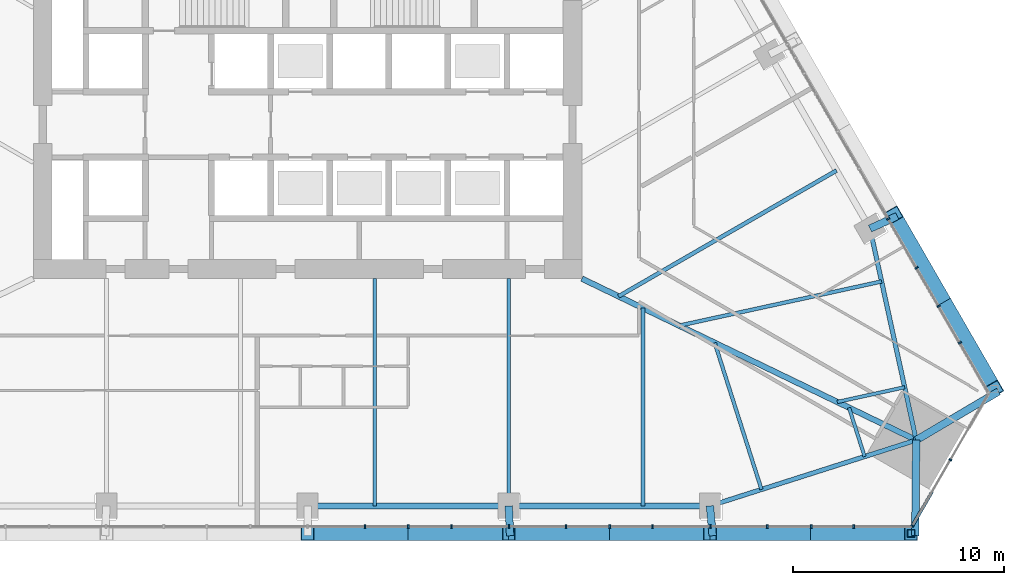
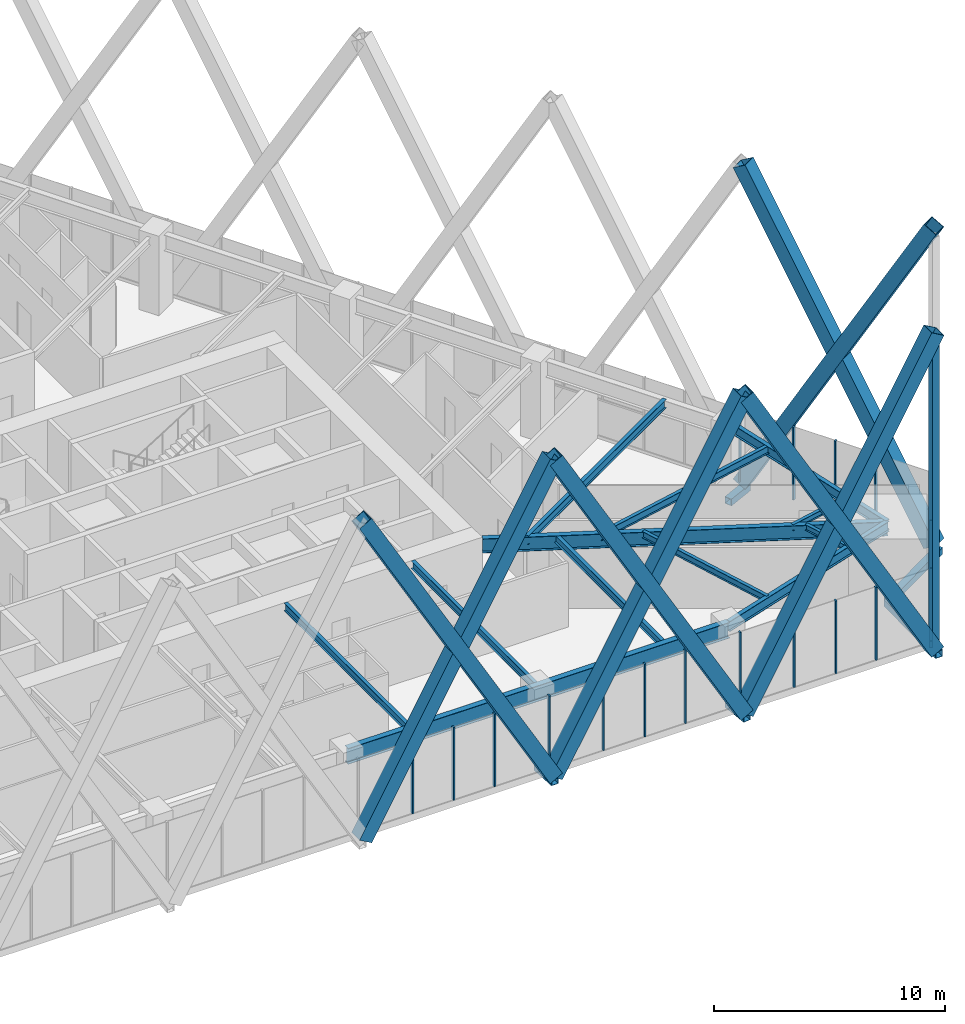
# One storey, part 7 of 23: 32 members, 12 beams, 3 elements without a shape of their own.
"""IFC4 building model written with IfcOpenShell, lengths in metres."""

from ifc_helpers import new_model, si_unit, direction, frame, origin, origin_2d, place, context, subcontext, project, spatial, rectangle, hollow_rectangle, i_section, extrude, material, layer, layer_set, material_profile, profile_set, type_object, element, aggregate, save


model = new_model("IFC4")

# Units and contexts
model_context = context("Model", 3, precision=1e-05, world=origin(), true_north=direction((0.0, 1.0)))
body_context = subcontext(model_context, "Body", "Model", "MODEL_VIEW")
ifc_project = project(units=[si_unit("LENGTHUNIT", "METRE"), si_unit("AREAUNIT", "SQUARE_METRE"), si_unit("VOLUMEUNIT", "CUBIC_METRE"), si_unit("PLANEANGLEUNIT", "RADIAN"), si_unit("MASSUNIT", "GRAM", prefix="KILO")], contexts=[model_context])

# Site, building, storey
site_placement = place(None, origin())
site = spatial("IfcSite", under=ifc_project, at=site_placement, CompositionType="ELEMENT")
building_placement = place(site_placement, origin())
building = spatial("IfcBuilding", under=site, at=building_placement, Name="Firuza Gate Tower and Library", CompositionType="ELEMENT")
storey_placement = place(building_placement, frame((0.0, 0.0, 56.800048828125)))
storey = spatial("IfcBuildingStorey", under=building, at=storey_placement, Name="L12", CompositionType="ELEMENT", Elevation=56.800048828125)

# Members
ifc_material_1 = material(Name="Steel S355", Category="steel")
ifc_material_profile_1 = material_profile(ifc_material_1, hollow_rectangle(XDim=0.699951171875, YDim=0.699951171875, WallThickness=0.030029296875, at=origin_2d()))
ifc_profile_set_1 = profile_set([ifc_material_profile_1], Name="Steel S355")
member_type_1 = type_object("IfcMemberType", Name="BU700x700x30 Lattice brace", PredefinedType="BRACE", material=ifc_profile_set_1)
for number, where, z_axis, x_axis, name in (
    (1, (75.0, 53.928955078125, 0.0), (0.493576582997, 0.0, 0.869702337997), (0.0, 1.0, 0.0), "Lattice brace S 2.4R"),
    (2, (84.534423828125, 53.928955078125, 0.0), (-0.493576582997, 0.0, 0.869702337997), (0.0, -1.0, 0.0), "Lattice brace S 2.4L"),
    (3, (84.534423828125, 53.928955078125, 0.0), (0.493576582997, 0.0, 0.869702337997), (0.0, 1.0, 0.0), "Lattice brace S 2.5R"),
    (4, (94.06884765625, 53.928955078125, 0.0), (-0.493576582997, 0.0, 0.869702337997), (0.0, -1.0, 0.0), "Lattice brace S 2.5L"),
    (5, (94.06884765625, 53.928955078125, 0.0), (0.493576582997, 0.0, 0.869702337997), (0.0, 1.0, 0.0), "Lattice brace S 2.6R"),
    (6, (103.603271484375, 53.928955078125, 0.0), (-0.493576582997, 0.0, 0.869702337997), (0.0, -1.0, 0.0), "Lattice brace S 2.6L"),
):
    element("IfcMember", number, at=place(storey_placement, frame(where, z_axis=z_axis, x_axis=x_axis)), inside=storey, type_object=member_type_1, Name=name, PredefinedType="BRACE", context=body_context, shape_type="SweptSolid", body=[
        extrude(hollow_rectangle(XDim=0.699951171875, YDim=0.699951171875, WallThickness=0.030029296875, at=origin_2d()), origin(), (0.0, 0.0, 1.0), 19.31689453125),
    ])
for number, where, z_axis, x_axis, name in (
    (7, (107.5498046875, 60.764404296875, 0.0), (-0.246794079392, 0.427450328219, 0.869700465265), (-0.866020563445, -0.50000838362, 0.0), "Lattice brace E 2.1R"),
    (8, (102.782470703125, 69.021484375, 0.0), (0.246794079392, -0.427450328219, 0.869700465265), (0.866020563445, 0.50000838362, 0.0), "Lattice brace E 2.1L"),
):
    element("IfcMember", number, at=place(storey_placement, frame(where, z_axis=z_axis, x_axis=x_axis)), inside=storey, type_object=member_type_1, Name=name, PredefinedType="BRACE", context=body_context, shape_type="SweptSolid", body=[
        extrude(hollow_rectangle(XDim=0.699951171875, YDim=0.699951171875, WallThickness=0.030029296875, at=origin_2d()), origin(), (0.0, 0.0, 1.0), 19.317138671875),
    ])

# Curtain wall, members
ifc_material_2 = material(Name="Aluminium 6063-T6", Category="aluminium")
ifc_layer_1 = layer(ifc_material_2, 0.14990234375)
ifc_layer_set_1 = layer_set([ifc_layer_1], Name="Unitised curtain wall, offices")
curtain_wall_type_1 = type_object("IfcCurtainWallType", Name="Unitised curtain wall, offices", PredefinedType="NOTDEFINED", material=ifc_layer_set_1)
placement = place(storey_placement, origin())
curtain_wall_1 = element("IfcCurtainWall", 9, at=placement, inside=storey, type_object=curtain_wall_type_1, Name="CW1 L12 S face", PredefinedType="NOTDEFINED")
ifc_material_3 = material(Name="Aluminium 6063-T6", Category="aluminium")
ifc_material_profile_2 = material_profile(ifc_material_3, rectangle(XDim=0.14990234375, YDim=0.080078125, at=origin_2d()))
ifc_profile_set_2 = profile_set([ifc_material_profile_2], Name="Aluminium 6063-T6")
member_type_2 = type_object("IfcMemberType", Name="Curtain wall mullion 80x150", PredefinedType="MULLION", material=ifc_profile_set_2)
member_1_placement = place(storey_placement, frame((79.7744140625, 54.25390625, 0.14990234375), z_axis=(0.0, 0.0, 1.0), x_axis=(0.0, 1.0, 0.0)))
member_1 = element("IfcMember", 10, at=member_1_placement, type_object=member_type_2, Name="Mullion", PredefinedType="MULLION", context=body_context, shape_type="SweptSolid", body=[
    extrude(rectangle(XDim=0.14990234375, YDim=0.080078125, at=origin_2d()), origin(), (0.0, 0.0, 1.0), 3.85009765625),
])
member_2_placement = place(storey_placement, frame((84.548828125, 54.25390625, 0.14990234375), z_axis=(0.0, 0.0, 1.0), x_axis=(0.0, 1.0, 0.0)))
member_2 = element("IfcMember", 11, at=member_2_placement, type_object=member_type_2, Name="Mullion", PredefinedType="MULLION", context=body_context, shape_type="SweptSolid", body=[
    extrude(rectangle(XDim=0.14990234375, YDim=0.080078125, at=origin_2d()), origin(), (0.0, 0.0, 1.0), 3.85009765625),
])
member_3_placement = place(storey_placement, frame((89.3232421875, 54.25390625, 0.14990234375), z_axis=(0.0, 0.0, 1.0), x_axis=(0.0, 1.0, 0.0)))
member_3 = element("IfcMember", 12, at=member_3_placement, type_object=member_type_2, Name="Mullion", PredefinedType="MULLION", context=body_context, shape_type="SweptSolid", body=[
    extrude(rectangle(XDim=0.14990234375, YDim=0.080078125, at=origin_2d()), origin(), (0.0, 0.0, 1.0), 3.85009765625),
])
member_4_placement = place(storey_placement, frame((94.097900390625, 54.25390625, 0.14990234375), z_axis=(0.0, 0.0, 1.0), x_axis=(0.0, 1.0, 0.0)))
member_4 = element("IfcMember", 13, at=member_4_placement, type_object=member_type_2, Name="Mullion", PredefinedType="MULLION", context=body_context, shape_type="SweptSolid", body=[
    extrude(rectangle(XDim=0.14990234375, YDim=0.080078125, at=origin_2d()), origin(), (0.0, 0.0, 1.0), 3.85009765625),
])
member_5_placement = place(storey_placement, frame((98.872314453125, 54.25390625, 0.14990234375), z_axis=(0.0, 0.0, 1.0), x_axis=(0.0, 1.0, 0.0)))
member_5 = element("IfcMember", 14, at=member_5_placement, type_object=member_type_2, Name="Mullion", PredefinedType="MULLION", context=body_context, shape_type="SweptSolid", body=[
    extrude(rectangle(XDim=0.14990234375, YDim=0.080078125, at=origin_2d()), origin(), (0.0, 0.0, 1.0), 3.85009765625),
])
member_6_placement = place(storey_placement, frame((77.717529296875, 54.25390625, 0.14990234375), z_axis=(0.0, 0.0, 1.0), x_axis=(0.0, 1.0, 0.0)))
member_6 = element("IfcMember", 15, at=member_6_placement, type_object=member_type_2, Name="Mullion", PredefinedType="MULLION", context=body_context, shape_type="SweptSolid", body=[
    extrude(rectangle(XDim=0.14990234375, YDim=0.080078125, at=origin_2d()), origin(), (0.0, 0.0, 1.0), 3.85009765625),
])
member_7_placement = place(storey_placement, frame((81.81689453125, 54.25390625, 0.14990234375), z_axis=(0.0, 0.0, 1.0), x_axis=(0.0, 1.0, 0.0)))
member_7 = element("IfcMember", 16, at=member_7_placement, type_object=member_type_2, Name="Mullion", PredefinedType="MULLION", context=body_context, shape_type="SweptSolid", body=[
    extrude(rectangle(XDim=0.14990234375, YDim=0.080078125, at=origin_2d()), origin(), (0.0, 0.0, 1.0), 3.85009765625),
])
member_8_placement = place(storey_placement, frame((87.251953125, 54.25390625, 0.14990234375), z_axis=(0.0, 0.0, 1.0), x_axis=(0.0, 1.0, 0.0)))
member_8 = element("IfcMember", 17, at=member_8_placement, type_object=member_type_2, Name="Mullion", PredefinedType="MULLION", context=body_context, shape_type="SweptSolid", body=[
    extrude(rectangle(XDim=0.14990234375, YDim=0.080078125, at=origin_2d()), origin(), (0.0, 0.0, 1.0), 3.85009765625),
])
member_9_placement = place(storey_placement, frame((91.351318359375, 54.25390625, 0.14990234375), z_axis=(0.0, 0.0, 1.0), x_axis=(0.0, 1.0, 0.0)))
member_9 = element("IfcMember", 18, at=member_9_placement, type_object=member_type_2, Name="Mullion", PredefinedType="MULLION", context=body_context, shape_type="SweptSolid", body=[
    extrude(rectangle(XDim=0.14990234375, YDim=0.080078125, at=origin_2d()), origin(), (0.0, 0.0, 1.0), 3.85009765625),
])
member_10_placement = place(storey_placement, frame((96.786376953125, 54.25390625, 0.14990234375), z_axis=(0.0, 0.0, 1.0), x_axis=(0.0, 1.0, 0.0)))
member_10 = element("IfcMember", 19, at=member_10_placement, type_object=member_type_2, Name="Mullion", PredefinedType="MULLION", context=body_context, shape_type="SweptSolid", body=[
    extrude(rectangle(XDim=0.14990234375, YDim=0.080078125, at=origin_2d()), origin(), (0.0, 0.0, 1.0), 3.85009765625),
])
member_11_placement = place(storey_placement, frame((100.8857421875, 54.25390625, 0.14990234375), z_axis=(0.0, 0.0, 1.0), x_axis=(0.0, 1.0, 0.0)))
member_11 = element("IfcMember", 20, at=member_11_placement, type_object=member_type_2, Name="Mullion", PredefinedType="MULLION", context=body_context, shape_type="SweptSolid", body=[
    extrude(rectangle(XDim=0.14990234375, YDim=0.080078125, at=origin_2d()), origin(), (0.0, 0.0, 1.0), 3.85009765625),
])
aggregate(curtain_wall_1, [member_1, member_2, member_3, member_4, member_5, member_6, member_7, member_8, member_9, member_10, member_11])

ifc_material_4 = material(Name="Aluminium 6063-T6", Category="aluminium")
ifc_layer_2 = layer(ifc_material_4, 0.14990234375)
ifc_layer_set_2 = layer_set([ifc_layer_2], Name="Corner curtain wall, chamfers")
curtain_wall_type_2 = type_object("IfcCurtainWallType", Name="Corner curtain wall, chamfers", PredefinedType="NOTDEFINED", material=ifc_layer_set_2)
curtain_wall_2 = element("IfcCurtainWall", 21, at=placement, inside=storey, type_object=curtain_wall_type_2, Name="CW4 L12 SE corner", PredefinedType="NOTDEFINED")
member_12_placement = place(storey_placement, frame((103.666748046875, 54.28857421875, 0.14990234375), z_axis=(0.0, 0.0, 1.0), x_axis=(-0.866025403784, 0.5, 0.0)))
member_12 = element("IfcMember", 22, at=member_12_placement, type_object=member_type_2, Name="Mullion", PredefinedType="MULLION", context=body_context, shape_type="SweptSolid", body=[
    extrude(rectangle(XDim=0.14990234375, YDim=0.080078125, at=origin_2d()), origin(), (0.0, 0.0, 1.0), 3.85009765625),
])
member_13_placement = place(storey_placement, frame((105.46826171875, 57.4091796875, 0.14990234375), z_axis=(0.0, 0.0, 1.0), x_axis=(-0.866025403784, 0.5, 0.0)))
member_13 = element("IfcMember", 23, at=member_13_placement, type_object=member_type_2, Name="Mullion", PredefinedType="MULLION", context=body_context, shape_type="SweptSolid", body=[
    extrude(rectangle(XDim=0.14990234375, YDim=0.080078125, at=origin_2d()), origin(), (0.0, 0.0, 1.0), 3.85009765625),
])

curtain_wall_3 = element("IfcCurtainWall", 24, at=placement, inside=storey, type_object=curtain_wall_type_1, Name="CW1 L12 E face", PredefinedType="NOTDEFINED")
member_14_placement = place(storey_placement, frame((104.90283203125, 64.698974609375, 0.14990234375), z_axis=(0.0, 0.0, 1.0), x_axis=(-0.866025403784, -0.5, 0.0)))
member_14 = element("IfcMember", 25, at=member_14_placement, type_object=member_type_2, Name="Mullion", PredefinedType="MULLION", context=body_context, shape_type="SweptSolid", body=[
    extrude(rectangle(XDim=0.14990234375, YDim=0.080078125, at=origin_2d()), origin(), (0.0, 0.0, 1.0), 3.85009765625),
])
member_15_placement = place(storey_placement, frame((102.515625, 68.833984375, 0.14990234375), z_axis=(0.0, 0.0, 1.0), x_axis=(-0.866025403784, -0.5, 0.0)))
member_15 = element("IfcMember", 26, at=member_15_placement, type_object=member_type_2, Name="Mullion", PredefinedType="MULLION", context=body_context, shape_type="SweptSolid", body=[
    extrude(rectangle(XDim=0.14990234375, YDim=0.080078125, at=origin_2d()), origin(), (0.0, 0.0, 1.0), 3.85009765625),
])
member_16_placement = place(storey_placement, frame((105.90966796875, 62.955322265625, 0.14990234375), z_axis=(0.0, 0.0, 1.0), x_axis=(-0.866025403784, -0.5, 0.0)))
member_16 = element("IfcMember", 27, at=member_16_placement, type_object=member_type_2, Name="Mullion", PredefinedType="MULLION", context=body_context, shape_type="SweptSolid", body=[
    extrude(rectangle(XDim=0.14990234375, YDim=0.080078125, at=origin_2d()), origin(), (0.0, 0.0, 1.0), 3.85009765625),
])
member_17_placement = place(storey_placement, frame((103.85986328125, 66.50537109375, 0.14990234375), z_axis=(0.0, 0.0, 1.0), x_axis=(-0.866025403784, -0.5, 0.0)))
member_17 = element("IfcMember", 28, at=member_17_placement, type_object=member_type_2, Name="Mullion", PredefinedType="MULLION", context=body_context, shape_type="SweptSolid", body=[
    extrude(rectangle(XDim=0.14990234375, YDim=0.080078125, at=origin_2d()), origin(), (0.0, 0.0, 1.0), 3.85009765625),
])
aggregate(curtain_wall_3, [member_14, member_15, member_16, member_17])

# Member
ifc_material_5 = material(Name="Aluminium 6063-T6", Category="aluminium")
ifc_material_profile_3 = material_profile(ifc_material_5, rectangle(XDim=0.14990234375, YDim=0.35009765625, at=origin_2d()))
ifc_profile_set_3 = profile_set([ifc_material_profile_3], Name="Aluminium 6063-T6")
member_type_3 = type_object("IfcMemberType", Name="Curtain wall transom 350x150", PredefinedType="USERDEFINED", material=ifc_profile_set_3)
member_18_placement = place(storey_placement, frame((103.646728515625, 54.25390625, -0.025146484375), z_axis=(0.499983064336, 0.866035181374, 0.0), x_axis=(-0.866035181374, 0.499983064336, 0.0)))
member_18 = element("IfcMember", 29, at=member_18_placement, type_object=member_type_3, Name="Transom", ObjectType="TRANSOM", PredefinedType="USERDEFINED", context=body_context, shape_type="SweptSolid", body=[
    extrude(rectangle(XDim=0.14990234375, YDim=0.35009765625, at=origin_2d()), origin(), (0.0, 0.0, 1.0), 1.89208984375),
])

aggregate(curtain_wall_2, [member_12, member_13, member_18])

# Members
ifc_material_6 = material(Name="Steel S355", Category="steel")
ifc_material_profile_4 = material_profile(ifc_material_6, hollow_rectangle(XDim=0.355712890625, YDim=0.355712890625, WallThickness=0.014892578125, at=origin_2d()))
ifc_profile_set_4 = profile_set([ifc_material_profile_4], Name="Steel S355")
member_type_4 = type_object("IfcMemberType", Name="HSS356x356x16 Lattice corner stile", PredefinedType="BRACE", material=ifc_profile_set_4)
member_19_placement = place(storey_placement, frame((103.603271484375, 53.928955078125, -0.14013671875), z_axis=(0.0, 0.0, 1.0), x_axis=(1.0, 0.0, 0.0)))
element("IfcMember", 30, at=member_19_placement, inside=storey, type_object=member_type_4, Name="Lattice corner stile S 2.B", PredefinedType="BRACE", context=body_context, shape_type="SweptSolid", body=[
    extrude(hollow_rectangle(XDim=0.355712890625, YDim=0.355712890625, WallThickness=0.014892578125, at=origin_2d()), origin(), (0.0, 0.0, 1.0), 16.440185546875),
])
ifc_material_7 = material(Name="Steel S355", Category="steel")
ifc_material_profile_5 = material_profile(ifc_material_7, hollow_rectangle(XDim=0.355712890625, YDim=0.355712890625, WallThickness=0.014892578125, at=origin_2d()))
ifc_profile_set_5 = profile_set([ifc_material_profile_5], Name="Steel S355")
member_type_5 = type_object("IfcMemberType", Name="HSS356x356x16 Lattice node tie", PredefinedType="BRACE", material=ifc_profile_set_5)
member_20_placement = place(storey_placement, frame((101.65673828125, 68.371337890625, -0.320068359375), z_axis=(0.908472167867, 0.417945355532, 0.0), x_axis=(-0.417945355532, 0.908472167867, 0.0)))
element("IfcMember", 31, at=member_20_placement, inside=storey, type_object=member_type_5, Name="Lattice node tie E L12 27", PredefinedType="BRACE", context=body_context, shape_type="SweptSolid", body=[
    extrude(hollow_rectangle(XDim=0.355712890625, YDim=0.355712890625, WallThickness=0.014892578125, at=origin_2d()), origin(), (0.0, 0.0, 1.0), 1.41943359375),
])
member_21_placement = place(storey_placement, frame((103.844482421875, 58.3466796875, -0.320068359375), z_axis=(0.861065933124, 0.508493322289, 0.0), x_axis=(-0.508493322289, 0.861065933124, 0.0)))
element("IfcMember", 32, at=member_21_placement, inside=storey, type_object=member_type_5, Name="Lattice node tie E L12 28", PredefinedType="BRACE", context=body_context, shape_type="SweptSolid", body=[
    extrude(hollow_rectangle(XDim=0.355712890625, YDim=0.355712890625, WallThickness=0.014892578125, at=origin_2d()), origin(), (0.0, 0.0, 1.0), 4.531494140625),
])
member_22_placement = place(storey_placement, frame((84.534423828125, 55.22900390625, -0.320068359375), z_axis=(0.046409353018, -0.998922505479, 0.0), x_axis=(0.998922505479, 0.046409353018, 0.0)))
element("IfcMember", 33, at=member_22_placement, inside=storey, type_object=member_type_5, Name="Lattice node tie S L12 33", PredefinedType="BRACE", context=body_context, shape_type="SweptSolid", body=[
    extrude(hollow_rectangle(XDim=0.355712890625, YDim=0.355712890625, WallThickness=0.014892578125, at=origin_2d()), origin(), (0.0, 0.0, 1.0), 1.4150390625),
])
member_23_placement = place(storey_placement, frame((94.06884765625, 55.22900390625, -0.320068359375), z_axis=(0.092349775402, -0.99572662864, 0.0), x_axis=(0.99572662864, 0.092349775402, 0.0)))
element("IfcMember", 34, at=member_23_placement, inside=storey, type_object=member_type_5, Name="Lattice node tie S L12 34", PredefinedType="BRACE", context=body_context, shape_type="SweptSolid", body=[
    extrude(hollow_rectangle(XDim=0.355712890625, YDim=0.355712890625, WallThickness=0.014892578125, at=origin_2d()), origin(), (0.0, 0.0, 1.0), 1.419677734375),
])
member_24_placement = place(storey_placement, frame((103.844482421875, 58.3466796875, -0.320068359375), z_axis=(-0.009805563051, -0.999951924311, 0.0), x_axis=(0.999951924311, -0.009805563051, 0.0)))
element("IfcMember", 35, at=member_24_placement, inside=storey, type_object=member_type_5, Name="Lattice node tie S L12 35", PredefinedType="BRACE", context=body_context, shape_type="SweptSolid", body=[
    extrude(hollow_rectangle(XDim=0.355712890625, YDim=0.355712890625, WallThickness=0.014892578125, at=origin_2d()), origin(), (0.0, 0.0, 1.0), 4.531494140625),
])

# Beams
ifc_material_8 = material(Name="Steel S355", Category="steel")
ifc_material_profile_6 = material_profile(ifc_material_8, i_section(OverallWidth=0.1650390625, OverallDepth=0.31005859375, WebThickness=0.005859375, FlangeThickness=0.009765625, at=origin_2d()))
ifc_profile_set_6 = profile_set([ifc_material_profile_6], Name="Steel S355")
beam_type_1 = type_object("IfcBeamType", Name="W310x39 Floor beam", PredefinedType="JOIST", material=ifc_profile_set_6)
beam_1_placement = place(storey_placement, frame((101.400634765625, 57.567138671875, 3.844970703125), z_axis=(-0.303883149111, 0.952709311221, 0.0), x_axis=(-0.952709311221, -0.303883149111, 0.0)))
element("IfcBeam", 36, at=beam_1_placement, inside=storey, type_object=beam_type_1, Name="Floor beam L12 s31", PredefinedType="JOIST", context=body_context, shape_type="SweptSolid", body=[
    extrude(i_section(OverallWidth=0.1650390625, OverallDepth=0.31005859375, WebThickness=0.005859375, FlangeThickness=0.009765625, at=origin_2d()), origin(), (0.0, 0.0, 1.0), 2.431884765625),
])
beam_2_placement = place(storey_placement, frame((103.297607421875, 60.852783203125, 3.844970703125), z_axis=(-0.977001633278, -0.213231818855, 0.0), x_axis=(0.213231818855, -0.977001633278, 0.0)))
element("IfcBeam", 37, at=beam_2_placement, inside=storey, type_object=beam_type_1, Name="Floor beam L12 s40", PredefinedType="JOIST", context=body_context, shape_type="SweptSolid", body=[
    extrude(i_section(OverallWidth=0.1650390625, OverallDepth=0.31005859375, WebThickness=0.005859375, FlangeThickness=0.009765625, at=origin_2d()), origin(), (0.0, 0.0, 1.0), 3.272216796875),
])
ifc_material_9 = material(Name="Steel S355", Category="steel")
ifc_material_profile_7 = material_profile(ifc_material_9, i_section(OverallWidth=0.1708984375, OverallDepth=0.35498046875, WebThickness=0.007080078125, FlangeThickness=0.01171875, at=origin_2d()))
ifc_profile_set_7 = profile_set([ifc_material_profile_7], Name="Steel S355")
beam_type_2 = type_object("IfcBeamType", Name="W360x51 Floor beam", PredefinedType="JOIST", material=ifc_profile_set_7)
beam_3_placement = place(storey_placement, frame((96.5126953125, 56.00830078125, 3.822509765625), z_axis=(-0.303832087289, 0.952725596766, 0.0), x_axis=(-0.952725596766, -0.303832087289, 0.0)))
element("IfcBeam", 38, at=beam_3_placement, inside=storey, type_object=beam_type_2, Name="Floor beam L12 s30", PredefinedType="JOIST", context=body_context, shape_type="SweptSolid", body=[
    extrude(i_section(OverallWidth=0.1708984375, OverallDepth=0.35498046875, WebThickness=0.007080078125, FlangeThickness=0.01171875, at=origin_2d()), origin(), (0.0, 0.0, 1.0), 7.29541015625),
])
ifc_material_10 = material(Name="Steel S355", Category="steel")
ifc_material_profile_8 = material_profile(ifc_material_10, i_section(OverallWidth=0.177978515625, OverallDepth=0.406982421875, WebThickness=0.0078125, FlangeThickness=0.0126953125, at=origin_2d()))
ifc_profile_set_8 = profile_set([ifc_material_profile_8], Name="Steel S355")
beam_type_3 = type_object("IfcBeamType", Name="W410x60 Floor beam", PredefinedType="JOIST", material=ifc_profile_set_8)
for number, where, z_axis, x_axis, name in (
    (39, (78.17822265625, 55.22900390625, 3.79638671875), (0.0, 1.0, 0.0), (-1.0, 0.0, 0.0), "Floor beam L12 s23"),
    (40, (84.534423828125, 55.22900390625, 3.79638671875), (0.0, 1.0, 0.0), (-1.0, 0.0, 0.0), "Floor beam L12 s24"),
):
    element("IfcBeam", number, at=place(storey_placement, frame(where, z_axis=z_axis, x_axis=x_axis)), inside=storey, type_object=beam_type_3, Name=name, PredefinedType="JOIST", context=body_context, shape_type="SweptSolid", body=[
        extrude(i_section(OverallWidth=0.177978515625, OverallDepth=0.406982421875, WebThickness=0.0078125, FlangeThickness=0.0126953125, at=origin_2d()), origin(), (0.0, 0.0, 1.0), 10.77099609375),
    ])
beam_4_placement = place(storey_placement, frame((90.890869140625, 55.22900390625, 3.79638671875), z_axis=(0.0, 1.0, 0.0), x_axis=(-1.0, 0.0, 0.0)))
element("IfcBeam", 41, at=beam_4_placement, inside=storey, type_object=beam_type_3, Name="Floor beam L12 s25", PredefinedType="JOIST", context=body_context, shape_type="SweptSolid", body=[
    extrude(i_section(OverallWidth=0.177978515625, OverallDepth=0.406982421875, WebThickness=0.0078125, FlangeThickness=0.0126953125, at=origin_2d()), origin(), (0.0, 0.0, 1.0), 9.374755859375),
])
beam_5_placement = place(storey_placement, frame((102.20361328125, 65.865234375, 3.79638671875), z_axis=(-0.977001633278, -0.213231818855, 0.0), x_axis=(0.213231818855, -0.977001633278, 0.0)))
element("IfcBeam", 42, at=beam_5_placement, inside=storey, type_object=beam_type_3, Name="Floor beam L12 s41", PredefinedType="JOIST", context=body_context, shape_type="SweptSolid", body=[
    extrude(i_section(OverallWidth=0.177978515625, OverallDepth=0.406982421875, WebThickness=0.0078125, FlangeThickness=0.0126953125, at=origin_2d()), origin(), (0.0, 0.0, 1.0), 9.81689453125),
])
ifc_material_11 = material(Name="Steel S355", Category="steel")
ifc_material_profile_9 = material_profile(ifc_material_11, i_section(OverallWidth=0.18994140625, OverallDepth=0.45703125, WebThickness=0.009033203125, FlangeThickness=0.014404296875, at=origin_2d()))
ifc_profile_set_9 = profile_set([ifc_material_profile_9], Name="Steel S355")
beam_type_4 = type_object("IfcBeamType", Name="W460x74 Floor beam", PredefinedType="JOIST", material=ifc_profile_set_9)
beam_6_placement = place(storey_placement, frame((100.067626953125, 71.123779296875, 3.771484375), z_axis=(-0.866021283888, -0.500007135802, 0.0), x_axis=(0.500007135802, -0.866021283888, 0.0)))
element("IfcBeam", 43, at=beam_6_placement, inside=storey, type_object=beam_type_4, Name="Floor beam L12 s50", PredefinedType="JOIST", context=body_context, shape_type="SweptSolid", body=[
    extrude(i_section(OverallWidth=0.18994140625, OverallDepth=0.45703125, WebThickness=0.009033203125, FlangeThickness=0.014404296875, at=origin_2d()), origin(), (0.0, 0.0, 1.0), 11.927001953125),
])
ifc_material_12 = material(Name="Steel S355", Category="steel")
ifc_material_profile_10 = material_profile(ifc_material_12, i_section(OverallWidth=0.212890625, OverallDepth=0.5390625, WebThickness=0.01171875, FlangeThickness=0.018798828125, at=origin_2d()))
ifc_profile_set_10 = profile_set([ifc_material_profile_10], Name="Steel S355")
beam_type_5 = type_object("IfcBeamType", Name="W530x109 Edge beam", PredefinedType="SPANDREL", material=ifc_profile_set_10)
beam_7_placement = place(storey_placement, frame((94.06884765625, 55.22900390625, 3.73046875), z_axis=(0.952721510235, 0.303844901119, 0.0), x_axis=(-0.303844901119, 0.952721510235, 0.0)))
element("IfcBeam", 44, at=beam_7_placement, inside=storey, type_object=beam_type_5, Name="Edge beam L12 e30", PredefinedType="SPANDREL", context=body_context, shape_type="SweptSolid", body=[
    extrude(i_section(OverallWidth=0.212890625, OverallDepth=0.5390625, WebThickness=0.01171875, FlangeThickness=0.018798828125, at=origin_2d()), origin(), (0.0, 0.0, 1.0), 10.2607421875),
])
beam_8_placement = place(storey_placement, frame((103.844482421875, 58.3466796875, 3.73046875), z_axis=(-0.21321786896, 0.977004677756, 0.0), x_axis=(-0.977004677756, -0.21321786896, 0.0)))
element("IfcBeam", 45, at=beam_8_placement, inside=storey, type_object=beam_type_5, Name="Edge beam L12 e40", PredefinedType="SPANDREL", context=body_context, shape_type="SweptSolid", body=[
    extrude(i_section(OverallWidth=0.212890625, OverallDepth=0.5390625, WebThickness=0.01171875, FlangeThickness=0.018798828125, at=origin_2d()), origin(), (0.0, 0.0, 1.0), 10.260498046875),
])
ifc_material_13 = material(Name="Steel S355", Category="steel")
ifc_material_profile_11 = material_profile(ifc_material_13, i_section(OverallWidth=0.264892578125, OverallDepth=0.7529296875, WebThickness=0.01318359375, FlangeThickness=0.01708984375, at=origin_2d()))
ifc_profile_set_11 = profile_set([ifc_material_profile_11], Name="Steel S355")
beam_type_6 = type_object("IfcBeamType", Name="W760x147 Girder", PredefinedType="BEAM", material=ifc_profile_set_11)
beam_9_placement = place(storey_placement, frame((103.844482421875, 58.3466796875, 3.62353515625), z_axis=(-0.90045683322, 0.434945389109, 0.0), x_axis=(-0.434945389109, -0.90045683322, 0.0)))
element("IfcBeam", 46, at=beam_9_placement, inside=storey, type_object=beam_type_6, Name="Girder L12 gSE", PredefinedType="BEAM", context=body_context, shape_type="SweptSolid", body=[
    extrude(i_section(OverallWidth=0.264892578125, OverallDepth=0.7529296875, WebThickness=0.01318359375, FlangeThickness=0.01708984375, at=origin_2d()), origin(), (0.0, 0.0, 1.0), 17.595947265625),
])
ifc_material_14 = material(Name="Steel S355", Category="steel")
ifc_material_profile_12 = material_profile(ifc_material_14, i_section(OverallWidth=0.2919921875, OverallDepth=0.8349609375, WebThickness=0.013916015625, FlangeThickness=0.018798828125, at=origin_2d()))
ifc_profile_set_12 = profile_set([ifc_material_profile_12], Name="Steel S355")
beam_type_7 = type_object("IfcBeamType", Name="W840x176 Edge beam", PredefinedType="SPANDREL", material=ifc_profile_set_12)
beam_10_placement = place(storey_placement, frame((75.0, 55.22900390625, 3.58251953125), z_axis=(1.0, 0.0, 0.0), x_axis=(0.0, 1.0, 0.0)))
element("IfcBeam", 47, at=beam_10_placement, inside=storey, type_object=beam_type_7, Name="Edge beam L12 e22", PredefinedType="SPANDREL", context=body_context, shape_type="SweptSolid", body=[
    extrude(i_section(OverallWidth=0.2919921875, OverallDepth=0.8349609375, WebThickness=0.013916015625, FlangeThickness=0.018798828125, at=origin_2d()), origin(), (0.0, 0.0, 1.0), 19.06884765625),
])

save(model, "model.ifc")
